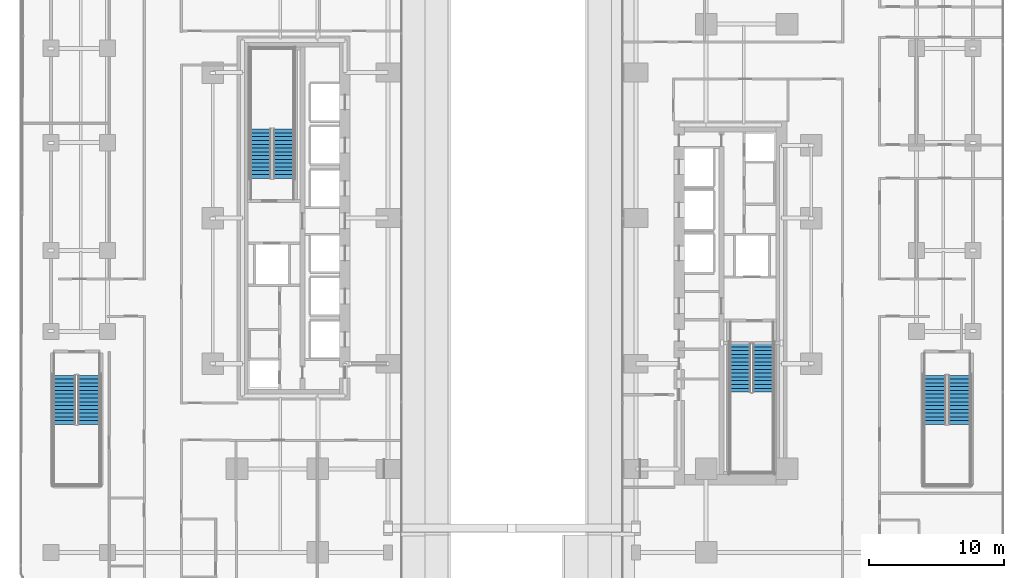
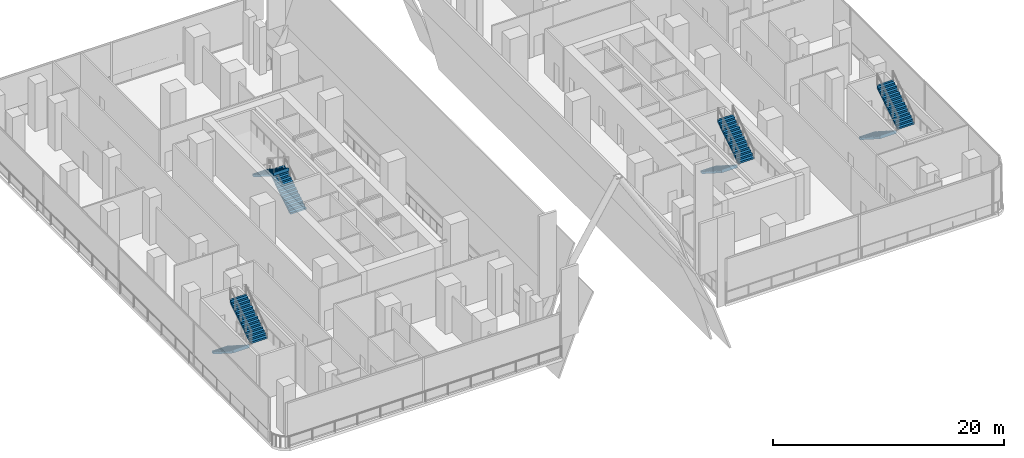
# One storey, part 11 of 31: 8 stair flights, 4 elements without a shape of their own.
"""IFC4 building model written with IfcOpenShell, lengths in metres."""

from ifc_helpers import new_model, si_unit, direction, frame, origin, place, context, subcontext, project, spatial, polyline, outline, extrude, material, layer, layer_set, type_object, element, aggregate, save


model = new_model("IFC4")

# Units and contexts
model_context = context("Model", 3, precision=1e-05, world=origin(), true_north=direction((0.0, 1.0)))
body_context = subcontext(model_context, "Body", "Model", "MODEL_VIEW")
ifc_project = project(units=[si_unit("LENGTHUNIT", "METRE"), si_unit("AREAUNIT", "SQUARE_METRE"), si_unit("VOLUMEUNIT", "CUBIC_METRE"), si_unit("PLANEANGLEUNIT", "RADIAN"), si_unit("MASSUNIT", "GRAM", prefix="KILO")], contexts=[model_context])

# Site, building, storey
site_placement = place(None, origin())
site = spatial("IfcSite", under=ifc_project, at=site_placement, CompositionType="ELEMENT")
building_placement = place(site_placement, origin())
building = spatial("IfcBuilding", under=site, at=building_placement, Name="Khairoan Windgate Tower", CompositionType="ELEMENT")
storey_placement = place(building_placement, frame((0.0, 0.0, 6.0)))
storey = spatial("IfcBuildingStorey", under=building, at=storey_placement, Name="L02", CompositionType="ELEMENT", Elevation=6.0)

# Stair, stair flights
ifc_material_1 = material(Name="Concrete C40/50", Category="concrete")
stair_type_1 = type_object("IfcStairType", Name="Podium Exit Dog-Leg Stair ST-T2 1660mm", PredefinedType="HALF_TURN_STAIR", material=ifc_material_1)
stair_1_placement = place(storey_placement, origin())
stair_1 = element("IfcStair", 1, at=stair_1_placement, inside=storey, type_object=stair_type_1, Name="L02 Stair ST3", PredefinedType="HALF_TURN_STAIR")
ifc_material_2 = material(Name="Concrete C40/50", Category="concrete")
ifc_layer_1 = layer(ifc_material_2, 0.14990234375, Name="Concrete C40/50")
ifc_layer_set_1 = layer_set([ifc_layer_1], Name="Concrete C40/50")
stair_flight_type_1 = type_object("IfcStairFlightType", Name="Podium Stair Flight STF-1660", PredefinedType="STRAIGHT", material=ifc_layer_set_1)
stair_flight_1_placement = place(storey_placement, frame((31.3798828125, -11.659912109375, 0.0), z_axis=(0.0, 0.0, 1.0), x_axis=(0.0, -1.0, 0.0)))
stair_flight_1 = element("IfcStairFlight", 2, at=stair_flight_1_placement, type_object=stair_flight_type_1, Name="ST3 flight 1", NumberOfRisers=14, NumberOfTreads=13, PredefinedType="STRAIGHT", RiserHeight=0.178571429, TreadLength=0.28, context=body_context, shape_type="SweptSolid", body=[
    extrude(outline(polyline([(-0.00390625, 0.0), (-0.00390625, 0.178466796875), (0.0, 0.178466796875), (0.280029296875, 0.178466796875), (0.280029296875, 0.357177734375), (0.56005859375, 0.357177734375), (0.56005859375, 0.53564453125), (0.840087890625, 0.53564453125), (0.840087890625, 0.71435546875), (1.1201171875, 0.71435546875), (1.1201171875, 0.892822265625), (1.39990234375, 0.892822265625), (1.39990234375, 1.071533203125), (1.679931640625, 1.071533203125), (1.679931640625, 1.25), (1.9599609375, 1.25), (1.9599609375, 1.428466796875), (2.239990234375, 1.428466796875), (2.239990234375, 1.607177734375), (2.52001953125, 1.607177734375), (2.52001953125, 1.78564453125), (2.800048828125, 1.78564453125), (2.800048828125, 1.96435546875), (3.080078125, 1.96435546875), (3.080078125, 2.142822265625), (3.360107421875, 2.142822265625), (3.360107421875, 2.321533203125), (3.639892578125, 2.321533203125), (3.639892578125, 2.5), (3.64404296875, 2.5), (3.64404296875, 2.1435546875), (0.27880859375, 0.0), (-0.00390625, 0.0)])), frame((0.0, 0.830078125, 0.0), z_axis=(0.0, -1.0, 0.0), x_axis=(1.0, 0.0, 0.0)), (0.0, 0.0, 1.0), 1.659912109375),
])
stair_flight_2_placement = place(storey_placement, frame((33.18994140625, -15.300048828125, 2.5), z_axis=(0.0, 0.0, 1.0), x_axis=(0.0, 1.0, 0.0)))
stair_flight_2 = element("IfcStairFlight", 3, at=stair_flight_2_placement, type_object=stair_flight_type_1, Name="ST3 flight 2", NumberOfRisers=14, NumberOfTreads=13, PredefinedType="STRAIGHT", RiserHeight=0.178571429, TreadLength=0.28, context=body_context, shape_type="SweptSolid", body=[
    extrude(outline(polyline([(-0.00390625, 0.0), (-0.00390625, 0.178466796875), (0.0, 0.178466796875), (0.280029296875, 0.178466796875), (0.280029296875, 0.357177734375), (0.56005859375, 0.357177734375), (0.56005859375, 0.53564453125), (0.840087890625, 0.53564453125), (0.840087890625, 0.71435546875), (1.1201171875, 0.71435546875), (1.1201171875, 0.892822265625), (1.39990234375, 0.892822265625), (1.39990234375, 1.071533203125), (1.679931640625, 1.071533203125), (1.679931640625, 1.25), (1.9599609375, 1.25), (1.9599609375, 1.428466796875), (2.239990234375, 1.428466796875), (2.239990234375, 1.607177734375), (2.52001953125, 1.607177734375), (2.52001953125, 1.78564453125), (2.800048828125, 1.78564453125), (2.800048828125, 1.96435546875), (3.080078125, 1.96435546875), (3.080078125, 2.142822265625), (3.360107421875, 2.142822265625), (3.360107421875, 2.321533203125), (3.639892578125, 2.321533203125), (3.639892578125, 2.5), (3.64404296875, 2.5), (3.64404296875, 2.1435546875), (0.27880859375, 0.0), (-0.00390625, 0.0)])), frame((0.0, 0.830078125, 0.0), z_axis=(0.0, -1.0, 0.0), x_axis=(1.0, 0.0, 0.0)), (0.0, 0.0, 1.0), 1.659912109375),
])
aggregate(stair_1, [stair_flight_1, stair_flight_2])

stair_2_placement = place(storey_placement, origin())
stair_2 = element("IfcStair", 4, at=stair_2_placement, inside=storey, type_object=stair_type_1, Name="L02 Stair ST4", PredefinedType="HALF_TURN_STAIR")
stair_flight_3_placement = place(storey_placement, frame((-33.18994140625, -11.659912109375, 0.0), z_axis=(0.0, 0.0, 1.0), x_axis=(0.0, -1.0, 0.0)))
stair_flight_3 = element("IfcStairFlight", 5, at=stair_flight_3_placement, type_object=stair_flight_type_1, Name="ST4 flight 1", NumberOfRisers=14, NumberOfTreads=13, PredefinedType="STRAIGHT", RiserHeight=0.178571429, TreadLength=0.28, context=body_context, shape_type="SweptSolid", body=[
    extrude(outline(polyline([(-0.00390625, 0.0), (-0.00390625, 0.178466796875), (0.0, 0.178466796875), (0.280029296875, 0.178466796875), (0.280029296875, 0.357177734375), (0.56005859375, 0.357177734375), (0.56005859375, 0.53564453125), (0.840087890625, 0.53564453125), (0.840087890625, 0.71435546875), (1.1201171875, 0.71435546875), (1.1201171875, 0.892822265625), (1.39990234375, 0.892822265625), (1.39990234375, 1.071533203125), (1.679931640625, 1.071533203125), (1.679931640625, 1.25), (1.9599609375, 1.25), (1.9599609375, 1.428466796875), (2.239990234375, 1.428466796875), (2.239990234375, 1.607177734375), (2.52001953125, 1.607177734375), (2.52001953125, 1.78564453125), (2.800048828125, 1.78564453125), (2.800048828125, 1.96435546875), (3.080078125, 1.96435546875), (3.080078125, 2.142822265625), (3.360107421875, 2.142822265625), (3.360107421875, 2.321533203125), (3.639892578125, 2.321533203125), (3.639892578125, 2.5), (3.64404296875, 2.5), (3.64404296875, 2.1435546875), (0.27880859375, 0.0), (-0.00390625, 0.0)])), frame((0.0, 0.830078125, 0.0), z_axis=(0.0, -1.0, 0.0), x_axis=(1.0, 0.0, 0.0)), (0.0, 0.0, 1.0), 1.659912109375),
])
stair_flight_4_placement = place(storey_placement, frame((-31.3798828125, -15.300048828125, 2.5), z_axis=(0.0, 0.0, 1.0), x_axis=(0.0, 1.0, 0.0)))
stair_flight_4 = element("IfcStairFlight", 6, at=stair_flight_4_placement, type_object=stair_flight_type_1, Name="ST4 flight 2", NumberOfRisers=14, NumberOfTreads=13, PredefinedType="STRAIGHT", RiserHeight=0.178571429, TreadLength=0.28, context=body_context, shape_type="SweptSolid", body=[
    extrude(outline(polyline([(-0.00390625, 0.0), (-0.00390625, 0.178466796875), (0.0, 0.178466796875), (0.280029296875, 0.178466796875), (0.280029296875, 0.357177734375), (0.56005859375, 0.357177734375), (0.56005859375, 0.53564453125), (0.840087890625, 0.53564453125), (0.840087890625, 0.71435546875), (1.1201171875, 0.71435546875), (1.1201171875, 0.892822265625), (1.39990234375, 0.892822265625), (1.39990234375, 1.071533203125), (1.679931640625, 1.071533203125), (1.679931640625, 1.25), (1.9599609375, 1.25), (1.9599609375, 1.428466796875), (2.239990234375, 1.428466796875), (2.239990234375, 1.607177734375), (2.52001953125, 1.607177734375), (2.52001953125, 1.78564453125), (2.800048828125, 1.78564453125), (2.800048828125, 1.96435546875), (3.080078125, 1.96435546875), (3.080078125, 2.142822265625), (3.360107421875, 2.142822265625), (3.360107421875, 2.321533203125), (3.639892578125, 2.321533203125), (3.639892578125, 2.5), (3.64404296875, 2.5), (3.64404296875, 2.1435546875), (0.27880859375, 0.0), (-0.00390625, 0.0)])), frame((0.0, 0.830078125, 0.0), z_axis=(0.0, -1.0, 0.0), x_axis=(1.0, 0.0, 0.0)), (0.0, 0.0, 1.0), 1.659912109375),
])
aggregate(stair_2, [stair_flight_3, stair_flight_4])

ifc_material_3 = material(Name="Concrete C40/50", Category="concrete")
stair_type_2 = type_object("IfcStairType", Name="Tower Core Dog-Leg Stair ST-T1 1560mm", PredefinedType="HALF_TURN_STAIR", material=ifc_material_3)
stair_3_placement = place(storey_placement, origin())
stair_3 = element("IfcStair", 7, at=stair_3_placement, inside=storey, type_object=stair_type_2, Name="L02 Stair ST1", PredefinedType="HALF_TURN_STAIR")
ifc_material_4 = material(Name="Concrete C40/50", Category="concrete")
ifc_layer_2 = layer(ifc_material_4, 0.14990234375, Name="Concrete C40/50")
ifc_layer_set_2 = layer_set([ifc_layer_2], Name="Concrete C40/50")
stair_flight_type_2 = type_object("IfcStairFlightType", Name="Tower Core Stair Flight STF-1560", PredefinedType="STRAIGHT", material=ifc_layer_set_2)
stair_flight_5_placement = place(storey_placement, frame((16.929931640625, -9.260009765625, 0.0), z_axis=(0.0, 0.0, 1.0), x_axis=(0.0, -1.0, 0.0)))
stair_flight_5 = element("IfcStairFlight", 8, at=stair_flight_5_placement, type_object=stair_flight_type_2, Name="ST1 flight 1", NumberOfRisers=14, NumberOfTreads=13, PredefinedType="STRAIGHT", RiserHeight=0.178571429, TreadLength=0.28, context=body_context, shape_type="SweptSolid", body=[
    extrude(outline(polyline([(-0.00390625, 0.0), (-0.00390625, 0.178466796875), (0.0, 0.178466796875), (0.280029296875, 0.178466796875), (0.280029296875, 0.357177734375), (0.56005859375, 0.357177734375), (0.56005859375, 0.53564453125), (0.840087890625, 0.53564453125), (0.840087890625, 0.71435546875), (1.1201171875, 0.71435546875), (1.1201171875, 0.892822265625), (1.39990234375, 0.892822265625), (1.39990234375, 1.071533203125), (1.679931640625, 1.071533203125), (1.679931640625, 1.25), (1.9599609375, 1.25), (1.9599609375, 1.428466796875), (2.239990234375, 1.428466796875), (2.239990234375, 1.607177734375), (2.52001953125, 1.607177734375), (2.52001953125, 1.78564453125), (2.800048828125, 1.78564453125), (2.800048828125, 1.96435546875), (3.080078125, 1.96435546875), (3.080078125, 2.142822265625), (3.360107421875, 2.142822265625), (3.360107421875, 2.321533203125), (3.639892578125, 2.321533203125), (3.639892578125, 2.5), (3.64404296875, 2.5), (3.64404296875, 2.1435546875), (0.27880859375, 0.0), (-0.00390625, 0.0)])), frame((0.0, 0.780029296875, 0.0), z_axis=(0.0, -1.0, 0.0), x_axis=(1.0, 0.0, 0.0)), (0.0, 0.0, 1.0), 1.56005859375),
])
stair_flight_6_placement = place(storey_placement, frame((18.639892578125, -12.89990234375, 2.5), z_axis=(0.0, 0.0, 1.0), x_axis=(0.0, 1.0, 0.0)))
stair_flight_6 = element("IfcStairFlight", 9, at=stair_flight_6_placement, type_object=stair_flight_type_2, Name="ST1 flight 2", NumberOfRisers=14, NumberOfTreads=13, PredefinedType="STRAIGHT", RiserHeight=0.178571429, TreadLength=0.28, context=body_context, shape_type="SweptSolid", body=[
    extrude(outline(polyline([(-0.00390625, 0.0), (-0.00390625, 0.178466796875), (0.0, 0.178466796875), (0.280029296875, 0.178466796875), (0.280029296875, 0.357177734375), (0.56005859375, 0.357177734375), (0.56005859375, 0.53564453125), (0.840087890625, 0.53564453125), (0.840087890625, 0.71435546875), (1.1201171875, 0.71435546875), (1.1201171875, 0.892822265625), (1.39990234375, 0.892822265625), (1.39990234375, 1.071533203125), (1.679931640625, 1.071533203125), (1.679931640625, 1.25), (1.9599609375, 1.25), (1.9599609375, 1.428466796875), (2.239990234375, 1.428466796875), (2.239990234375, 1.607177734375), (2.52001953125, 1.607177734375), (2.52001953125, 1.78564453125), (2.800048828125, 1.78564453125), (2.800048828125, 1.96435546875), (3.080078125, 1.96435546875), (3.080078125, 2.142822265625), (3.360107421875, 2.142822265625), (3.360107421875, 2.321533203125), (3.639892578125, 2.321533203125), (3.639892578125, 2.5), (3.64404296875, 2.5), (3.64404296875, 2.1435546875), (0.27880859375, 0.0), (-0.00390625, 0.0)])), frame((0.0, 0.780029296875, 0.0), z_axis=(0.0, -1.0, 0.0), x_axis=(1.0, 0.0, 0.0)), (0.0, 0.0, 1.0), 1.56005859375),
])
aggregate(stair_3, [stair_flight_5, stair_flight_6])

stair_4_placement = place(storey_placement, origin())
stair_4 = element("IfcStair", 10, at=stair_4_placement, inside=storey, type_object=stair_type_2, Name="L02 Stair ST2", PredefinedType="HALF_TURN_STAIR")
stair_flight_7_placement = place(storey_placement, frame((-16.929931640625, 2.9599609375, 0.0), z_axis=(0.0, 0.0, 1.0), x_axis=(0.0, 1.0, 0.0)))
stair_flight_7 = element("IfcStairFlight", 11, at=stair_flight_7_placement, type_object=stair_flight_type_2, Name="ST2 flight 1", NumberOfRisers=14, NumberOfTreads=13, PredefinedType="STRAIGHT", RiserHeight=0.178571429, TreadLength=0.28, context=body_context, shape_type="SweptSolid", body=[
    extrude(outline(polyline([(-0.00390625, 0.0), (-0.00390625, 0.178466796875), (0.0, 0.178466796875), (0.280029296875, 0.178466796875), (0.280029296875, 0.357177734375), (0.56005859375, 0.357177734375), (0.56005859375, 0.53564453125), (0.840087890625, 0.53564453125), (0.840087890625, 0.71435546875), (1.1201171875, 0.71435546875), (1.1201171875, 0.892822265625), (1.39990234375, 0.892822265625), (1.39990234375, 1.071533203125), (1.679931640625, 1.071533203125), (1.679931640625, 1.25), (1.9599609375, 1.25), (1.9599609375, 1.428466796875), (2.239990234375, 1.428466796875), (2.239990234375, 1.607177734375), (2.52001953125, 1.607177734375), (2.52001953125, 1.78564453125), (2.800048828125, 1.78564453125), (2.800048828125, 1.96435546875), (3.080078125, 1.96435546875), (3.080078125, 2.142822265625), (3.360107421875, 2.142822265625), (3.360107421875, 2.321533203125), (3.639892578125, 2.321533203125), (3.639892578125, 2.5), (3.64404296875, 2.5), (3.64404296875, 2.1435546875), (0.27880859375, 0.0), (-0.00390625, 0.0)])), frame((0.0, 0.780029296875, 0.0), z_axis=(0.0, -1.0, 0.0), x_axis=(1.0, 0.0, 0.0)), (0.0, 0.0, 1.0), 1.56005859375),
])
stair_flight_8_placement = place(storey_placement, frame((-18.639892578125, 6.60009765625, 2.5), z_axis=(0.0, 0.0, 1.0), x_axis=(0.0, -1.0, 0.0)))
stair_flight_8 = element("IfcStairFlight", 12, at=stair_flight_8_placement, type_object=stair_flight_type_2, Name="ST2 flight 2", NumberOfRisers=14, NumberOfTreads=13, PredefinedType="STRAIGHT", RiserHeight=0.178571429, TreadLength=0.28, context=body_context, shape_type="SweptSolid", body=[
    extrude(outline(polyline([(-0.00390625, 0.0), (-0.00390625, 0.178466796875), (0.0, 0.178466796875), (0.280029296875, 0.178466796875), (0.280029296875, 0.357177734375), (0.56005859375, 0.357177734375), (0.56005859375, 0.53564453125), (0.840087890625, 0.53564453125), (0.840087890625, 0.71435546875), (1.1201171875, 0.71435546875), (1.1201171875, 0.892822265625), (1.39990234375, 0.892822265625), (1.39990234375, 1.071533203125), (1.679931640625, 1.071533203125), (1.679931640625, 1.25), (1.9599609375, 1.25), (1.9599609375, 1.428466796875), (2.239990234375, 1.428466796875), (2.239990234375, 1.607177734375), (2.52001953125, 1.607177734375), (2.52001953125, 1.78564453125), (2.800048828125, 1.78564453125), (2.800048828125, 1.96435546875), (3.080078125, 1.96435546875), (3.080078125, 2.142822265625), (3.360107421875, 2.142822265625), (3.360107421875, 2.321533203125), (3.639892578125, 2.321533203125), (3.639892578125, 2.5), (3.64404296875, 2.5), (3.64404296875, 2.1435546875), (0.27880859375, 0.0), (-0.00390625, 0.0)])), frame((0.0, 0.780029296875, 0.0), z_axis=(0.0, -1.0, 0.0), x_axis=(1.0, 0.0, 0.0)), (0.0, 0.0, 1.0), 1.56005859375),
])
aggregate(stair_4, [stair_flight_7, stair_flight_8])

save(model, "model.ifc")
